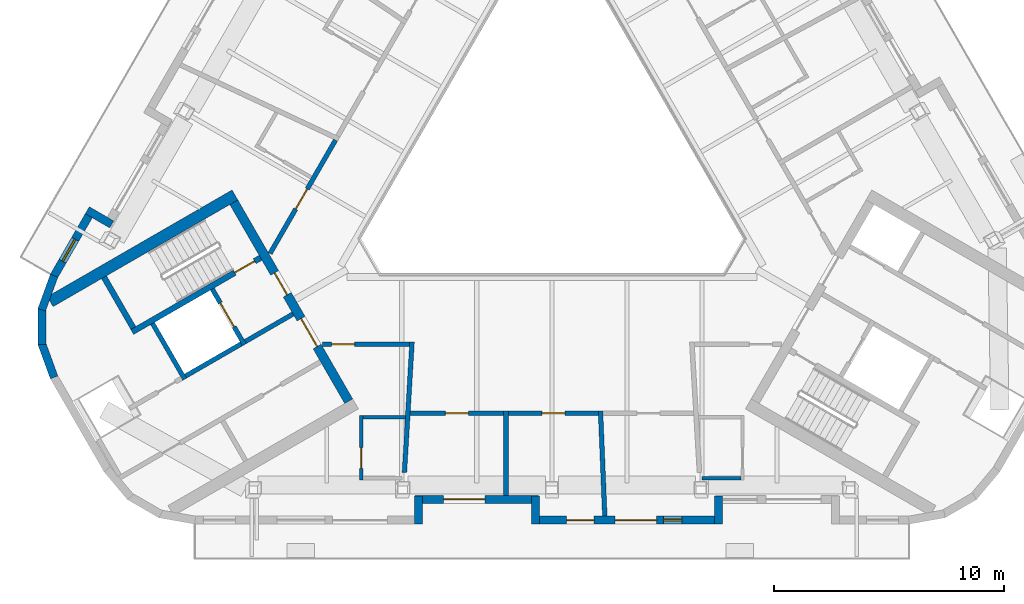
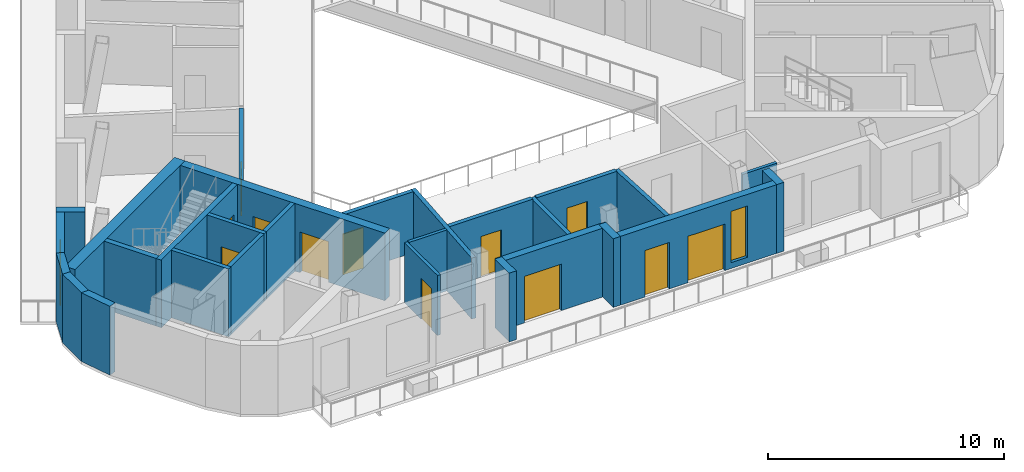
# One storey, part 3 of 11: 28 walls, 12 doors, 2 windows, 14 openings.
"""IFC4 building model written with IfcOpenShell, lengths in metres."""

from ifc_helpers import new_model, si_unit, direction, frame, frame_2d, origin, place, context, subcontext, project, spatial, rectangle, extrude, material, layer, layer_set, type_object, element, fill, save


model = new_model("IFC4")

# Units and contexts
model_context = context("Model", 3, precision=1e-05, world=origin(), true_north=direction((0.0, 1.0)))
body_context = subcontext(model_context, "Body", "Model", "MODEL_VIEW")
ifc_project = project(units=[si_unit("LENGTHUNIT", "METRE"), si_unit("AREAUNIT", "SQUARE_METRE"), si_unit("VOLUMEUNIT", "CUBIC_METRE"), si_unit("PLANEANGLEUNIT", "RADIAN"), si_unit("MASSUNIT", "GRAM", prefix="KILO")], contexts=[model_context])

# Site, building, storey
site_placement = place(None, origin())
site = spatial("IfcSite", under=ifc_project, at=site_placement, CompositionType="ELEMENT")
building_placement = place(site_placement, origin())
building = spatial("IfcBuilding", under=site, at=building_placement, Name="Apuvela Tower Hotel", CompositionType="ELEMENT")
storey_placement = place(building_placement, frame((0.0, 0.0, 320.699951171875)))
storey = spatial("IfcBuildingStorey", under=building, at=storey_placement, Name="L80", CompositionType="ELEMENT", Elevation=320.699951171875)

# Wall, openings, doors
ifc_material_1 = material(Name="Concrete C50/60", Category="concrete")
ifc_layer_1 = layer(ifc_material_1, 0.39990234375)
ifc_layer_set_1 = layer_set([ifc_layer_1], Name="COR-WALL-CORE-400")
wall_type_1 = type_object("IfcWallType", Name="COR-WALL-CORE-400", PredefinedType="SHEAR", material=ifc_layer_set_1)
wall_1_placement = place(storey_placement, frame((-13.844970703125, -2.219970703125, 0.0), z_axis=(0.0, 0.0, 1.0), x_axis=(0.500004234368, -0.866022959057, 0.0)))
wall_1 = element("IfcWall", 1, at=wall_1_placement, inside=storey, type_object=wall_type_1, Name="Core wall SW", PredefinedType="SHEAR", context=body_context, shape_type="SweptSolid", body=[
    extrude(rectangle(XDim=10.0, YDim=0.39990234375, at=frame_2d((5.0, 0.0))), origin(), (0.0, 0.0, 1.0), 3.5),
])
opening_1_placement = place(wall_1_placement, frame((3.550048828125, 0.0, 0.0)))
opening_1 = element("IfcOpeningElement", 2, at=opening_1_placement, cuts=wall_1, Name="Opening W-FD", PredefinedType="OPENING", context=body_context, shape_type="SweptSolid", body=[
    extrude(rectangle(XDim=1.10009765625, YDim=2.10009765625, at=frame_2d((0.550048828125, 1.050048828125))), frame((0.0, 0.2099609375, 0.0), z_axis=(0.0, -1.0, 0.0), x_axis=(1.0, 0.0, 0.0)), (0.0, 0.0, 1.0), 0.419921875),
])
opening_2_placement = place(wall_1_placement, frame((5.85009765625, 0.0, 0.0)))
opening_2 = element("IfcOpeningElement", 3, at=opening_2_placement, cuts=wall_1, Name="Opening W-GD", PredefinedType="OPENING", context=body_context, shape_type="SweptSolid", body=[
    extrude(rectangle(XDim=1.39990234375, YDim=2.10009765625, at=frame_2d((0.699951171875, 1.050048828125))), frame((0.0, 0.2099609375, 0.0), z_axis=(0.0, -1.0, 0.0), x_axis=(1.0, 0.0, 0.0)), (0.0, 0.0, 1.0), 0.419921875),
])
ifc_material_2 = material(Name="Steel fire door, powder coated", Category="steel")
door_type_1 = type_object("IfcDoorType", Name="COR-FD-1100", OperationType="NOTDEFINED", PredefinedType="DOOR", material=ifc_material_2)
door_1_placement = place(opening_1_placement, frame((1.10009765625, 0.0, 0.0), z_axis=(0.0, 0.0, 1.0), x_axis=(-1.0, 0.0, 0.0)))
door_1 = element("IfcDoor", 4, at=door_1_placement, inside=storey, type_object=door_type_1, Name="Firefighting lobby door W-FD", OperationType="SINGLE_SWING_LEFT", OverallHeight=2.10009765625, OverallWidth=1.10009765625, PredefinedType="DOOR", context=body_context, shape_type="SweptSolid", body=[
    extrude(rectangle(XDim=1.10009765625, YDim=2.10009765625, at=frame_2d((0.550048828125, 1.050048828125))), frame((0.0, 0.02490234375, 0.0), z_axis=(0.0, -1.0, 0.0), x_axis=(1.0, 0.0, 0.0)), (0.0, 0.0, 1.0), 0.050048828125),
])
fill(opening_1, door_1)
ifc_material_3 = material(Name="Glazed steel fire door", Category="steel")
door_type_2 = type_object("IfcDoorType", Name="COR-GD-1400", OperationType="DOUBLE_DOOR_SINGLE_SWING", PredefinedType="DOOR", material=ifc_material_3)
door_2_placement = place(opening_2_placement, frame((1.39990234375, 0.0, 0.0), z_axis=(0.0, 0.0, 1.0), x_axis=(-1.0, 0.0, 0.0)))
door_2 = element("IfcDoor", 5, at=door_2_placement, inside=storey, type_object=door_type_2, Name="Lift lobby door W-GD", OperationType="DOUBLE_DOOR_SINGLE_SWING", OverallHeight=2.10009765625, OverallWidth=1.39990234375, PredefinedType="DOOR", context=body_context, shape_type="SweptSolid", body=[
    extrude(rectangle(XDim=1.39990234375, YDim=2.10009765625, at=frame_2d((0.699951171875, 1.050048828125))), frame((0.0, 0.02490234375, 0.0), z_axis=(0.0, -1.0, 0.0), x_axis=(1.0, 0.0, 0.0)), (0.0, 0.0, 1.0), 0.050048828125),
])
fill(opening_2, door_2)

# Walls
ifc_layer_2 = layer(ifc_material_1, 0.5)
ifc_layer_set_2 = layer_set([ifc_layer_2], Name="COR-WALL-CORE-500")
wall_type_2 = type_object("IfcWallType", Name="COR-WALL-CORE-500", PredefinedType="SHEAR", material=ifc_layer_set_2)
wall_2_placement = place(storey_placement, frame((-13.796630859375, -1.9033203125, 0.0), z_axis=(0.0, 0.0, 1.0), x_axis=(-0.866025286072, -0.500000203884, 0.0)))
element("IfcWall", 6, at=wall_2_placement, inside=storey, type_object=wall_type_2, Name="Core wall SW", PredefinedType="SHEAR", context=body_context, shape_type="SweptSolid", body=[
    extrude(rectangle(XDim=9.28271484375, YDim=0.5, at=frame_2d((4.641357421875, 0.0))), origin(), (0.0, 0.0, 1.0), 3.5),
])
ifc_layer_3 = layer(ifc_material_1, 0.199951171875)
ifc_layer_set_3 = layer_set([ifc_layer_3], Name="COR-WALL-SHAFT-200")
wall_type_3 = type_object("IfcWallType", Name="COR-WALL-SHAFT-200", PredefinedType="SHEAR", material=ifc_layer_set_3)
wall_3_placement = place(storey_placement, frame((-17.38134765625, -7.49462890625, 0.0), z_axis=(0.0, 0.0, 1.0), x_axis=(0.500011755427, -0.866018616679, 0.0)))
element("IfcWall", 7, at=wall_3_placement, inside=storey, type_object=wall_type_3, Name="Shaft wall SW", PredefinedType="SHEAR", context=body_context, shape_type="SweptSolid", body=[
    extrude(rectangle(XDim=2.80029296875, YDim=0.199951171875, at=frame_2d((1.400146484375, 0.0))), origin(), (0.0, 0.0, 1.0), 3.5),
])

# Wall, opening, door
wall_4_placement = place(storey_placement, frame((-14.783203125, -5.99462890625, 0.0), z_axis=(0.0, 0.0, 1.0), x_axis=(0.49994636267, -0.866056369097, 0.0)))
wall_4 = element("IfcWall", 8, at=wall_4_placement, inside=storey, type_object=wall_type_3, Name="Shaft wall SW", PredefinedType="SHEAR", context=body_context, shape_type="SweptSolid", body=[
    extrude(rectangle(XDim=2.800048828125, YDim=0.199951171875, at=frame_2d((1.39990234375, 0.0))), origin(), (0.0, 0.0, 1.0), 3.5),
])
opening_3_placement = place(wall_4_placement, frame((0.699951171875, 0.0, 0.0)))
opening_3 = element("IfcOpeningElement", 9, at=opening_3_placement, cuts=wall_4, Name="Opening W-LD-FS2", PredefinedType="OPENING", context=body_context, shape_type="SweptSolid", body=[
    extrude(rectangle(XDim=1.199951171875, YDim=2.10009765625, at=frame_2d((0.60009765625, 1.050048828125))), frame((0.0, 0.10986328125, 0.0), z_axis=(0.0, -1.0, 0.0), x_axis=(1.0, 0.0, 0.0)), (0.0, 0.0, 1.0), 0.219970703125),
])
ifc_material_4 = material(Name="Stainless steel lift landing door", Category="steel")
door_type_3 = type_object("IfcDoorType", Name="COR-LD-1200", OperationType="DOUBLE_DOOR_SLIDING", PredefinedType="DOOR", material=ifc_material_4)
door_3_placement = place(opening_3_placement, origin())
door_3 = element("IfcDoor", 10, at=door_3_placement, inside=storey, type_object=door_type_3, Name="Lift landing door W-LD-FS2", OperationType="DOUBLE_DOOR_SLIDING", OverallHeight=2.10009765625, OverallWidth=1.199951171875, PredefinedType="DOOR", context=body_context, shape_type="SweptSolid", body=[
    extrude(rectangle(XDim=1.199951171875, YDim=2.10009765625, at=frame_2d((0.60009765625, 1.050048828125))), frame((0.0, 0.02490234375, 0.0), z_axis=(0.0, -1.0, 0.0), x_axis=(1.0, 0.0, 0.0)), (0.0, 0.0, 1.0), 0.050048828125),
])
fill(opening_3, door_3)

# Walls
wall_5_placement = place(storey_placement, frame((-13.519775390625, -8.383056640625, 0.0), z_axis=(0.0, 0.0, 1.0), x_axis=(-0.866034573852, -0.49998411664, 0.0)))
element("IfcWall", 11, at=wall_5_placement, inside=storey, type_object=wall_type_3, Name="Shaft wall SW", PredefinedType="SHEAR", context=body_context, shape_type="SweptSolid", body=[
    extrude(rectangle(XDim=2.7998046875, YDim=0.199951171875, at=frame_2d((1.39990234375, 0.0))), origin(), (0.0, 0.0, 1.0), 3.5),
])
wall_6_placement = place(storey_placement, frame((-11.26806640625, -7.0830078125, 0.0), z_axis=(0.0, 0.0, 1.0), x_axis=(-0.866050077142, -0.499957262057, 0.0)))
element("IfcWall", 12, at=wall_6_placement, inside=storey, type_object=wall_type_3, Name="Shaft wall SW", PredefinedType="SHEAR", context=body_context, shape_type="SweptSolid", body=[
    extrude(rectangle(XDim=2.400146484375, YDim=0.199951171875, at=frame_2d((1.2001953125, 0.0))), origin(), (0.0, 0.0, 1.0), 3.5),
])

# Wall, opening, door
ifc_layer_4 = layer(ifc_material_1, 0.25)
ifc_layer_set_4 = layer_set([ifc_layer_4], Name="COR-WALL-STAIR-250")
wall_type_4 = type_object("IfcWallType", Name="COR-WALL-STAIR-250", PredefinedType="SHEAR", material=ifc_layer_set_4)
wall_7_placement = place(storey_placement, frame((-12.6806640625, -4.636474609375, 0.0), z_axis=(0.0, 0.0, 1.0), x_axis=(-0.866021702275, -0.500006411147, 0.0)))
wall_7 = element("IfcWall", 13, at=wall_7_placement, inside=storey, type_object=wall_type_4, Name="Stair wall SW", PredefinedType="SHEAR", context=body_context, shape_type="SweptSolid", body=[
    extrude(rectangle(XDim=6.4501953125, YDim=0.25, at=frame_2d((3.22509765625, 0.0))), origin(), (0.0, 0.0, 1.0), 3.5),
])
opening_4_placement = place(wall_7_placement, frame((0.300048828125, 0.0, 0.0)))
opening_4 = element("IfcOpeningElement", 14, at=opening_4_placement, cuts=wall_7, Name="Opening W-SD", PredefinedType="OPENING", context=body_context, shape_type="SweptSolid", body=[
    extrude(rectangle(XDim=1.0, YDim=2.10009765625, at=frame_2d((0.5, 1.050048828125))), frame((0.0, 0.135009765625, 0.0), z_axis=(0.0, -1.0, 0.0), x_axis=(1.0, 0.0, 0.0)), (0.0, 0.0, 1.0), 0.27001953125),
])
door_type_4 = type_object("IfcDoorType", Name="COR-SD-1000", OperationType="NOTDEFINED", PredefinedType="DOOR", material=ifc_material_2)
door_4_placement = place(opening_4_placement, frame((1.0, 0.0, 0.0), z_axis=(0.0, 0.0, 1.0), x_axis=(-1.0, 0.0, 0.0)))
door_4 = element("IfcDoor", 15, at=door_4_placement, inside=storey, type_object=door_type_4, Name="Stair door W-SD", OperationType="SINGLE_SWING_LEFT", OverallHeight=2.10009765625, OverallWidth=1.0, PredefinedType="DOOR", context=body_context, shape_type="SweptSolid", body=[
    extrude(rectangle(XDim=1.0, YDim=2.10009765625, at=frame_2d((0.5, 1.050048828125))), frame((0.0, 0.02490234375, 0.0), z_axis=(0.0, -1.0, 0.0), x_axis=(1.0, 0.0, 0.0)), (0.0, 0.0, 1.0), 0.050048828125),
])
fill(opening_4, door_4)

# Walls
wall_8_placement = place(storey_placement, frame((-19.49560546875, -5.482421875, 0.0), z_axis=(0.0, 0.0, 1.0), x_axis=(0.499990435942, -0.866030925526, 0.0)))
element("IfcWall", 16, at=wall_8_placement, inside=storey, type_object=wall_type_4, Name="Stair wall SW", PredefinedType="SHEAR", context=body_context, shape_type="SweptSolid", body=[
    extrude(rectangle(XDim=2.5498046875, YDim=0.25, at=frame_2d((1.27490234375, 0.0))), origin(), (0.0, 0.0, 1.0), 3.5),
])
ifc_material_5 = material(Name="Concrete C40/50, dark pigmented precast panel", Category="concrete")
ifc_layer_5 = layer(ifc_material_5, 0.35009765625)
ifc_layer_set_5 = layer_set([ifc_layer_5], Name="ENV-WALL-350")
wall_type_5 = type_object("IfcWallType", Name="ENV-WALL-350", PredefinedType="SOLIDWALL", material=ifc_layer_set_5)
wall_9_placement = place(storey_placement, frame((-19.1650390625, -3.179931640625, 0.0), z_axis=(0.0, 0.0, 1.0), x_axis=(-0.866005645448, 0.500034220881, 0.0)))
element("IfcWall", 17, at=wall_9_placement, inside=storey, type_object=wall_type_5, Name="External wall L80-08", PredefinedType="SOLIDWALL", context=body_context, shape_type="SweptSolid", body=[
    extrude(rectangle(XDim=1.22021484375, YDim=0.35009765625, at=frame_2d((0.610107421875, 0.0))), origin(), (0.0, 0.0, 1.0), 3.550048828125),
])

# Wall, opening, window
wall_10_placement = place(storey_placement, frame((-19.982421875, -2.505859375, 0.0), z_axis=(0.0, 0.0, 1.0), x_axis=(-0.500054617923, -0.865993867816, 0.0)))
wall_10 = element("IfcWall", 18, at=wall_10_placement, inside=storey, type_object=wall_type_5, Name="External wall L80-09", PredefinedType="SOLIDWALL", context=body_context, shape_type="SweptSolid", body=[
    extrude(rectangle(XDim=3.39306640625, YDim=0.35009765625, at=frame_2d((1.696533203125, 0.0))), origin(), (0.0, 0.0, 1.0), 3.550048828125),
])
opening_5_placement = place(wall_10_placement, frame((1.530029296875, 0.0, 0.300048828125)))
opening_5 = element("IfcOpeningElement", 19, at=opening_5_placement, cuts=wall_10, Name="Opening WN11", PredefinedType="OPENING", context=body_context, shape_type="SweptSolid", body=[
    extrude(rectangle(XDim=1.10009765625, YDim=2.64990234375, at=frame_2d((0.550048828125, 1.324951171875))), frame((0.0, 0.18505859375, 0.0), z_axis=(0.0, -1.0, 0.0), x_axis=(1.0, 0.0, 0.0)), (0.0, 0.0, 1.0), 0.3701171875),
])
ifc_material_6 = material(Name="Glass, dark tinted laminated insulated glazing unit", Category="glass")
window_type_1 = type_object("IfcWindowType", Name="ENV-WIN-1100x2650", PartitioningType="SINGLE_PANEL", PredefinedType="WINDOW", material=ifc_material_6)
window_1_placement = place(opening_5_placement, origin())
window_1 = element("IfcWindow", 20, at=window_1_placement, inside=storey, type_object=window_type_1, Name="Window WN11", OverallHeight=2.64990234375, OverallWidth=1.10009765625, PartitioningType="SINGLE_PANEL", PredefinedType="WINDOW", context=body_context, shape_type="SweptSolid", body=[
    extrude(rectangle(XDim=1.10009765625, YDim=2.64990234375, at=frame_2d((0.550048828125, 1.324951171875))), frame((0.0, 0.030029296875, 0.0), z_axis=(0.0, -1.0, 0.0), x_axis=(1.0, 0.0, 0.0)), (0.0, 0.0, 1.0), 0.06005859375),
])
fill(opening_5, window_1)

# Walls
for number, where, z_axis, x_axis, name in (
    (21, (-21.666259765625, -5.41650390625, 0.0), (0.0, 0.0, 1.0), (-0.341991325642, -0.939703109065, 0.0), "External wall L80-10"),
    (22, (-22.19580078125, -6.840576171875, 0.0), (0.0, 0.0, 1.0), (0.0, -1.0, 0.0), "External wall L80-11"),
    (23, (-22.206298828125, -8.35986328125, 0.0), (0.0, 0.0, 1.0), (0.341991325642, -0.939703109065, 0.0), "External wall L80-12"),
):
    element("IfcWall", number, at=place(storey_placement, frame(where, z_axis=z_axis, x_axis=x_axis)), inside=storey, type_object=wall_type_5, Name=name, PredefinedType="SOLIDWALL", context=body_context, shape_type="SweptSolid", body=[
        extrude(rectangle(XDim=1.5791015625, YDim=0.35009765625, at=frame_2d((0.78955078125, 0.0))), origin(), (0.0, 0.0, 1.0), 3.550048828125),
    ])
wall_11_placement = place(storey_placement, frame((-5.8056640625, -16.2275390625, 0.0), z_axis=(0.0, 0.0, 1.0), x_axis=(0.0, 1.0, 0.0)))
element("IfcWall", 24, at=wall_11_placement, inside=storey, type_object=wall_type_5, Name="External wall L80-18", PredefinedType="SOLIDWALL", context=body_context, shape_type="SweptSolid", body=[
    extrude(rectangle(XDim=1.219970703125, YDim=0.35009765625, at=frame_2d((0.60986328125, 0.0))), origin(), (0.0, 0.0, 1.0), 3.550048828125),
])

# Wall, opening, door
wall_12_placement = place(storey_placement, frame((-5.95068359375, -15.152587890625, 0.0), z_axis=(0.0, 0.0, 1.0), x_axis=(1.0, 0.0, 0.0)))
wall_12 = element("IfcWall", 25, at=wall_12_placement, inside=storey, type_object=wall_type_5, Name="External wall L80-19", PredefinedType="SOLIDWALL", context=body_context, shape_type="SweptSolid", body=[
    extrude(rectangle(XDim=5.37060546875, YDim=0.35009765625, at=frame_2d((2.685302734375, 0.0))), origin(), (0.0, 0.0, 1.0), 3.550048828125),
])
opening_6_placement = place(wall_12_placement, frame((1.235595703125, 0.0, 0.0)))
opening_6 = element("IfcOpeningElement", 26, at=opening_6_placement, cuts=wall_12, Name="Opening BD18", PredefinedType="OPENING", context=body_context, shape_type="SweptSolid", body=[
    extrude(rectangle(XDim=1.800048828125, YDim=2.39990234375, at=frame_2d((0.89990234375, 1.199951171875))), frame((0.0, 0.18505859375, 0.0), z_axis=(0.0, -1.0, 0.0), x_axis=(1.0, 0.0, 0.0)), (0.0, 0.0, 1.0), 0.3701171875),
])
ifc_material_7 = material(Name="Aluminium 6063-T6, dark bronze anodised frame with dark tinted laminated glass", Category="aluminium")
door_type_5 = type_object("IfcDoorType", Name="ENV-DOOR-BALCONY-1800x2400", OperationType="SLIDING_TO_LEFT", PredefinedType="DOOR", material=ifc_material_7)
door_5_placement = place(opening_6_placement, frame((1.800048828125, 0.0, 0.0), z_axis=(0.0, 0.0, 1.0), x_axis=(-1.0, 0.0, 0.0)))
door_5 = element("IfcDoor", 27, at=door_5_placement, inside=storey, type_object=door_type_5, Name="Balcony door BD18", OperationType="SLIDING_TO_LEFT", OverallHeight=2.39990234375, OverallWidth=1.800048828125, PredefinedType="DOOR", context=body_context, shape_type="SweptSolid", body=[
    extrude(rectangle(XDim=1.800048828125, YDim=2.39990234375, at=frame_2d((0.89990234375, 1.199951171875))), frame((0.0, 0.02490234375, 0.0), z_axis=(0.0, -1.0, 0.0), x_axis=(1.0, 0.0, 0.0)), (0.0, 0.0, 1.0), 0.050048828125),
])
fill(opening_6, door_5)

# Wall
wall_13_placement = place(storey_placement, frame((-0.72509765625, -15.007568359375, 0.0), z_axis=(0.0, 0.0, 1.0), x_axis=(0.0, -1.0, 0.0)))
element("IfcWall", 28, at=wall_13_placement, inside=storey, type_object=wall_type_5, Name="External wall L80-20", PredefinedType="SOLIDWALL", context=body_context, shape_type="SweptSolid", body=[
    extrude(rectangle(XDim=1.219970703125, YDim=0.35009765625, at=frame_2d((0.60986328125, 0.0))), origin(), (0.0, 0.0, 1.0), 3.550048828125),
])

# Wall, openings, doors, window
wall_14_placement = place(storey_placement, frame((-0.89990234375, -16.052490234375, 0.0), z_axis=(0.0, 0.0, 1.0), x_axis=(1.0, 0.0, 0.0)))
wall_14 = element("IfcWall", 29, at=wall_14_placement, inside=storey, type_object=wall_type_5, Name="External wall L80-21", PredefinedType="SOLIDWALL", context=body_context, shape_type="SweptSolid", body=[
    extrude(rectangle(XDim=8.33056640625, YDim=0.35009765625, at=frame_2d((4.165283203125, 0.0))), origin(), (0.0, 0.0, 1.0), 3.550048828125),
])
opening_7_placement = place(wall_14_placement, frame((1.539306640625, 0.0, 0.0)))
opening_7 = element("IfcOpeningElement", 30, at=opening_7_placement, cuts=wall_14, Name="Opening BD12", PredefinedType="OPENING", context=body_context, shape_type="SweptSolid", body=[
    extrude(rectangle(XDim=1.199951171875, YDim=2.39990234375, at=frame_2d((0.60009765625, 1.199951171875))), frame((0.0, 0.18505859375, 0.0), z_axis=(0.0, -1.0, 0.0), x_axis=(1.0, 0.0, 0.0)), (0.0, 0.0, 1.0), 0.3701171875),
])
opening_8_placement = place(wall_14_placement, frame((3.650390625, 0.0, 0.0)))
opening_8 = element("IfcOpeningElement", 31, at=opening_8_placement, cuts=wall_14, Name="Opening BD18", PredefinedType="OPENING", context=body_context, shape_type="SweptSolid", body=[
    extrude(rectangle(XDim=1.800048828125, YDim=2.39990234375, at=frame_2d((0.89990234375, 1.199951171875))), frame((0.0, 0.18505859375, 0.0), z_axis=(0.0, -1.0, 0.0), x_axis=(1.0, 0.0, 0.0)), (0.0, 0.0, 1.0), 0.3701171875),
])
opening_9_placement = place(wall_14_placement, frame((5.75048828125, 0.0, 0.300048828125)))
opening_9 = element("IfcOpeningElement", 32, at=opening_9_placement, cuts=wall_14, Name="Opening WN08", PredefinedType="OPENING", context=body_context, shape_type="SweptSolid", body=[
    extrude(rectangle(XDim=0.800048828125, YDim=2.64990234375, at=frame_2d((0.39990234375, 1.324951171875))), frame((0.0, 0.18505859375, 0.0), z_axis=(0.0, -1.0, 0.0), x_axis=(1.0, 0.0, 0.0)), (0.0, 0.0, 1.0), 0.3701171875),
])
door_type_6 = type_object("IfcDoorType", Name="ENV-DOOR-BALCONY-1200x2400", OperationType="SLIDING_TO_LEFT", PredefinedType="DOOR", material=ifc_material_7)
door_6_placement = place(opening_7_placement, frame((1.199951171875, 0.0, 0.0), z_axis=(0.0, 0.0, 1.0), x_axis=(-1.0, 0.0, 0.0)))
door_6 = element("IfcDoor", 33, at=door_6_placement, inside=storey, type_object=door_type_6, Name="Balcony door BD12", OperationType="SLIDING_TO_LEFT", OverallHeight=2.39990234375, OverallWidth=1.199951171875, PredefinedType="DOOR", context=body_context, shape_type="SweptSolid", body=[
    extrude(rectangle(XDim=1.199951171875, YDim=2.39990234375, at=frame_2d((0.60009765625, 1.199951171875))), frame((0.0, 0.02490234375, 0.0), z_axis=(0.0, -1.0, 0.0), x_axis=(1.0, 0.0, 0.0)), (0.0, 0.0, 1.0), 0.050048828125),
])
fill(opening_7, door_6)
door_7_placement = place(opening_8_placement, frame((1.800048828125, 0.0, 0.0), z_axis=(0.0, 0.0, 1.0), x_axis=(-1.0, 0.0, 0.0)))
door_7 = element("IfcDoor", 34, at=door_7_placement, inside=storey, type_object=door_type_5, Name="Balcony door BD18", OperationType="SLIDING_TO_LEFT", OverallHeight=2.39990234375, OverallWidth=1.800048828125, PredefinedType="DOOR", context=body_context, shape_type="SweptSolid", body=[
    extrude(rectangle(XDim=1.800048828125, YDim=2.39990234375, at=frame_2d((0.89990234375, 1.199951171875))), frame((0.0, 0.02490234375, 0.0), z_axis=(0.0, -1.0, 0.0), x_axis=(1.0, 0.0, 0.0)), (0.0, 0.0, 1.0), 0.050048828125),
])
fill(opening_8, door_7)
window_type_2 = type_object("IfcWindowType", Name="ENV-WIN-800x2650", PartitioningType="SINGLE_PANEL", PredefinedType="WINDOW", material=ifc_material_6)
window_2_placement = place(opening_9_placement, origin())
window_2 = element("IfcWindow", 35, at=window_2_placement, inside=storey, type_object=window_type_2, Name="Window WN08", OverallHeight=2.64990234375, OverallWidth=0.800048828125, PartitioningType="SINGLE_PANEL", PredefinedType="WINDOW", context=body_context, shape_type="SweptSolid", body=[
    extrude(rectangle(XDim=0.800048828125, YDim=2.64990234375, at=frame_2d((0.39990234375, 1.324951171875))), frame((0.0, 0.030029296875, 0.0), z_axis=(0.0, -1.0, 0.0), x_axis=(1.0, 0.0, 0.0)), (0.0, 0.0, 1.0), 0.06005859375),
])
fill(opening_9, window_2)

# Walls
wall_15_placement = place(storey_placement, frame((7.255615234375, -16.2275390625, 0.0), z_axis=(0.0, 0.0, 1.0), x_axis=(0.0, 1.0, 0.0)))
element("IfcWall", 36, at=wall_15_placement, inside=storey, type_object=wall_type_5, Name="External wall L80-22", PredefinedType="SOLIDWALL", context=body_context, shape_type="SweptSolid", body=[
    extrude(rectangle(XDim=1.219970703125, YDim=0.35009765625, at=frame_2d((0.60986328125, 0.0))), origin(), (0.0, 0.0, 1.0), 3.550048828125),
])
ifc_material_8 = material(Name="Gypsum board partition on twin steel stud", Category="steel")
ifc_layer_6 = layer(ifc_material_8, 0.199951171875)
ifc_layer_set_6 = layer_set([ifc_layer_6], Name="GST-PW1")
wall_type_6 = type_object("IfcWallType", Name="GST-PW1", PredefinedType="PARTITIONING", material=ifc_layer_set_6)
wall_16_placement = place(storey_placement, frame((-6.419921875, -13.981689453125, 0.0), z_axis=(0.0, 0.0, 1.0), x_axis=(0.058254288977, 0.998301776927, 0.0)))
element("IfcWall", 37, at=wall_16_placement, inside=storey, type_object=wall_type_6, Name="L80 partition 01", PredefinedType="PARTITIONING", context=body_context, shape_type="SweptSolid", body=[
    extrude(rectangle(XDim=5.69140625, YDim=0.199951171875, at=frame_2d((2.845703125, 0.0))), origin(), (0.0, 0.0, 1.0), 3.150146484375),
])
wall_17_placement = place(storey_placement, frame((-2.0, -14.9775390625, 0.0), z_axis=(0.0, 0.0, 1.0), x_axis=(0.0, 1.0, 0.0)))
element("IfcWall", 38, at=wall_17_placement, inside=storey, type_object=wall_type_6, Name="L80 partition 02", PredefinedType="PARTITIONING", context=body_context, shape_type="SweptSolid", body=[
    extrude(rectangle(XDim=3.677490234375, YDim=0.199951171875, at=frame_2d((1.8388671875, 0.0))), origin(), (0.0, 0.0, 1.0), 3.10009765625),
])
wall_18_placement = place(storey_placement, frame((2.300048828125, -15.87744140625, 0.0), z_axis=(0.0, 0.0, 1.0), x_axis=(-0.040608643031, 0.999175128849, 0.0)))
element("IfcWall", 39, at=wall_18_placement, inside=storey, type_object=wall_type_6, Name="L80 partition 03", PredefinedType="PARTITIONING", context=body_context, shape_type="SweptSolid", body=[
    extrude(rectangle(XDim=4.5810546875, YDim=0.199951171875, at=frame_2d((2.29052734375, 0.0))), origin(), (0.0, 0.0, 1.0), 3.10009765625),
])

# Wall, opening, door
ifc_material_9 = material(Name="Gypsum board corridor wall on twin steel stud, acoustic", Category="steel")
ifc_layer_7 = layer(ifc_material_9, 0.199951171875)
ifc_layer_set_7 = layer_set([ifc_layer_7], Name="GST-PW2")
wall_type_7 = type_object("IfcWallType", Name="GST-PW2", PredefinedType="PARTITIONING", material=ifc_layer_set_7)
wall_19_placement = place(storey_placement, frame((-6.1943359375, -8.39990234375, 0.0), z_axis=(0.0, 0.0, 1.0), x_axis=(-1.0, 0.0, 0.0)))
wall_19 = element("IfcWall", 40, at=wall_19_placement, inside=storey, type_object=wall_type_7, Name="L80 partition 11", PredefinedType="PARTITIONING", context=body_context, shape_type="SweptSolid", body=[
    extrude(rectangle(XDim=3.7939453125, YDim=0.199951171875, at=frame_2d((1.89697265625, 0.0))), origin(), (0.0, 0.0, 1.0), 3.150146484375),
])
opening_10_placement = place(wall_19_placement, frame((2.393798828125, 0.0, 0.0)))
opening_10 = element("IfcOpeningElement", 41, at=opening_10_placement, cuts=wall_19, Name="Opening GD34-02", PredefinedType="OPENING", context=body_context, shape_type="SweptSolid", body=[
    extrude(rectangle(XDim=1.0, YDim=2.10009765625, at=frame_2d((0.5, 1.050048828125))), frame((0.0, 0.10986328125, 0.0), z_axis=(0.0, -1.0, 0.0), x_axis=(1.0, 0.0, 0.0)), (0.0, 0.0, 1.0), 0.219970703125),
])
ifc_material_10 = material(Name="Timber door leaf in steel frame", Category="steel")
door_type_7 = type_object("IfcDoorType", Name="GST-D1", OperationType="NOTDEFINED", PredefinedType="DOOR", material=ifc_material_10)
door_8_placement = place(opening_10_placement, origin())
door_8 = element("IfcDoor", 42, at=door_8_placement, inside=storey, type_object=door_type_7, Name="Door L80-02", OperationType="SINGLE_SWING_RIGHT", OverallHeight=2.10009765625, OverallWidth=1.0, PredefinedType="DOOR", context=body_context, shape_type="SweptSolid", body=[
    extrude(rectangle(XDim=1.0, YDim=2.10009765625, at=frame_2d((0.5, 1.050048828125))), frame((0.0, 0.02490234375, 0.0), z_axis=(0.0, -1.0, 0.0), x_axis=(1.0, 0.0, 0.0)), (0.0, 0.0, 1.0), 0.050048828125),
])
fill(opening_10, door_8)

wall_20_placement = place(storey_placement, frame((-2.10009765625, -11.39990234375, 0.0), z_axis=(0.0, 0.0, 1.0), x_axis=(-1.0, 0.0, 0.0)))
wall_20 = element("IfcWall", 43, at=wall_20_placement, inside=storey, type_object=wall_type_7, Name="L80 partition 15", PredefinedType="PARTITIONING", context=body_context, shape_type="SweptSolid", body=[
    extrude(rectangle(XDim=4.069091796875, YDim=0.199951171875, at=frame_2d((2.03466796875, 0.0))), origin(), (0.0, 0.0, 1.0), 3.150146484375),
])
opening_11_placement = place(wall_20_placement, frame((1.53466796875, 0.0, 0.0)))
opening_11 = element("IfcOpeningElement", 44, at=opening_11_placement, cuts=wall_20, Name="Opening GD34-03", PredefinedType="OPENING", context=body_context, shape_type="SweptSolid", body=[
    extrude(rectangle(XDim=1.0, YDim=2.10009765625, at=frame_2d((0.5, 1.050048828125))), frame((0.0, 0.10986328125, 0.0), z_axis=(0.0, -1.0, 0.0), x_axis=(1.0, 0.0, 0.0)), (0.0, 0.0, 1.0), 0.219970703125),
])
door_9_placement = place(opening_11_placement, origin())
door_9 = element("IfcDoor", 45, at=door_9_placement, inside=storey, type_object=door_type_7, Name="Door L80-03", OperationType="SINGLE_SWING_LEFT", OverallHeight=2.10009765625, OverallWidth=1.0, PredefinedType="DOOR", context=body_context, shape_type="SweptSolid", body=[
    extrude(rectangle(XDim=1.0, YDim=2.10009765625, at=frame_2d((0.5, 1.050048828125))), frame((0.0, 0.02490234375, 0.0), z_axis=(0.0, -1.0, 0.0), x_axis=(1.0, 0.0, 0.0)), (0.0, 0.0, 1.0), 0.050048828125),
])
fill(opening_11, door_9)

wall_21_placement = place(storey_placement, frame((2.017822265625, -11.39990234375, 0.0), z_axis=(0.0, 0.0, 1.0), x_axis=(-1.0, 0.0, 0.0)))
wall_21 = element("IfcWall", 46, at=wall_21_placement, inside=storey, type_object=wall_type_7, Name="L80 partition 16", PredefinedType="PARTITIONING", context=body_context, shape_type="SweptSolid", body=[
    extrude(rectangle(XDim=3.917724609375, YDim=0.199951171875, at=frame_2d((1.958984375, 0.0))), origin(), (0.0, 0.0, 1.0), 3.150146484375),
])
opening_12_placement = place(wall_21_placement, frame((1.458984375, 0.0, 0.0)))
opening_12 = element("IfcOpeningElement", 47, at=opening_12_placement, cuts=wall_21, Name="Opening GD34-04", PredefinedType="OPENING", context=body_context, shape_type="SweptSolid", body=[
    extrude(rectangle(XDim=1.0, YDim=2.10009765625, at=frame_2d((0.5, 1.050048828125))), frame((0.0, 0.10986328125, 0.0), z_axis=(0.0, -1.0, 0.0), x_axis=(1.0, 0.0, 0.0)), (0.0, 0.0, 1.0), 0.219970703125),
])
door_10_placement = place(opening_12_placement, origin())
door_10 = element("IfcDoor", 48, at=door_10_placement, inside=storey, type_object=door_type_7, Name="Door L80-04", OperationType="SINGLE_SWING_LEFT", OverallHeight=2.10009765625, OverallWidth=1.0, PredefinedType="DOOR", context=body_context, shape_type="SweptSolid", body=[
    extrude(rectangle(XDim=1.0, YDim=2.10009765625, at=frame_2d((0.5, 1.050048828125))), frame((0.0, 0.02490234375, 0.0), z_axis=(0.0, -1.0, 0.0), x_axis=(1.0, 0.0, 0.0)), (0.0, 0.0, 1.0), 0.050048828125),
])
fill(opening_12, door_10)

wall_22_placement = place(storey_placement, frame((-12.268798828125, -4.449951171875, 0.0), z_axis=(0.0, 0.0, 1.0), x_axis=(0.500034087201, 0.866005722635, 0.0)))
wall_22 = element("IfcWall", 49, at=wall_22_placement, inside=storey, type_object=wall_type_7, Name="L80 partition 43", PredefinedType="PARTITIONING", context=body_context, shape_type="SweptSolid", body=[
    extrude(rectangle(XDim=5.6962890625, YDim=0.199951171875, at=frame_2d((2.84814453125, 0.0))), origin(), (0.0, 0.0, 1.0), 3.150146484375),
])
opening_13_placement = place(wall_22_placement, frame((2.23779296875, 0.0, 0.0)))
opening_13 = element("IfcOpeningElement", 50, at=opening_13_placement, cuts=wall_22, Name="Opening GD34-23", PredefinedType="OPENING", context=body_context, shape_type="SweptSolid", body=[
    extrude(rectangle(XDim=1.0, YDim=2.10009765625, at=frame_2d((0.5, 1.050048828125))), frame((0.0, 0.10986328125, 0.0), z_axis=(0.0, -1.0, 0.0), x_axis=(1.0, 0.0, 0.0)), (0.0, 0.0, 1.0), 0.219970703125),
])
door_11_placement = place(opening_13_placement, origin())
door_11 = element("IfcDoor", 51, at=door_11_placement, inside=storey, type_object=door_type_7, Name="Door L80-23", OperationType="SINGLE_SWING_LEFT", OverallHeight=2.10009765625, OverallWidth=1.0, PredefinedType="DOOR", context=body_context, shape_type="SweptSolid", body=[
    extrude(rectangle(XDim=1.0, YDim=2.10009765625, at=frame_2d((0.5, 1.050048828125))), frame((0.0, 0.02490234375, 0.0), z_axis=(0.0, -1.0, 0.0), x_axis=(1.0, 0.0, 0.0)), (0.0, 0.0, 1.0), 0.050048828125),
])
fill(opening_13, door_11)

ifc_material_11 = material(Name="Moisture-resistant gypsum board wet wall on steel stud", Category="steel")
ifc_layer_8 = layer(ifc_material_11, 0.14990234375)
ifc_layer_set_8 = layer_set([ifc_layer_8], Name="GST-PW3")
wall_type_8 = type_object("IfcWallType", Name="GST-PW3", PredefinedType="PARTITIONING", material=ifc_layer_set_8)
wall_23_placement = place(storey_placement, frame((-8.294189453125, -11.5, 0.0), z_axis=(0.0, 0.0, 1.0), x_axis=(0.0, -1.0, 0.0)))
wall_23 = element("IfcWall", 52, at=wall_23_placement, inside=storey, type_object=wall_type_8, Name="L80 partition 12", PredefinedType="PARTITIONING", context=body_context, shape_type="SweptSolid", body=[
    extrude(rectangle(XDim=2.800048828125, YDim=0.14990234375, at=frame_2d((1.39990234375, 0.0))), origin(), (0.0, 0.0, 1.0), 3.10009765625),
])
opening_14_placement = place(wall_23_placement, frame((1.39990234375, 0.0, 0.0)))
opening_14 = element("IfcOpeningElement", 53, at=opening_14_placement, cuts=wall_23, Name="Opening GD34-01", PredefinedType="OPENING", context=body_context, shape_type="SweptSolid", body=[
    extrude(rectangle(XDim=0.89990234375, YDim=2.10009765625, at=frame_2d((0.449951171875, 1.050048828125))), frame((0.0, 0.0849609375, 0.0), z_axis=(0.0, -1.0, 0.0), x_axis=(1.0, 0.0, 0.0)), (0.0, 0.0, 1.0), 0.169921875),
])
door_type_8 = type_object("IfcDoorType", Name="GST-D2", OperationType="NOTDEFINED", PredefinedType="DOOR", material=ifc_material_10)
door_12_placement = place(opening_14_placement, origin())
door_12 = element("IfcDoor", 54, at=door_12_placement, inside=storey, type_object=door_type_8, Name="Door L80-01", OperationType="SINGLE_SWING_RIGHT", OverallHeight=2.10009765625, OverallWidth=0.89990234375, PredefinedType="DOOR", context=body_context, shape_type="SweptSolid", body=[
    extrude(rectangle(XDim=0.89990234375, YDim=2.10009765625, at=frame_2d((0.449951171875, 1.050048828125))), frame((0.0, 0.02490234375, 0.0), z_axis=(0.0, -1.0, 0.0), x_axis=(1.0, 0.0, 0.0)), (0.0, 0.0, 1.0), 0.050048828125),
])
fill(opening_14, door_12)

# Walls
wall_24_placement = place(storey_placement, frame((-8.218994140625, -11.574951171875, 0.0), z_axis=(0.0, 0.0, 1.0), x_axis=(1.0, 0.0, 0.0)))
element("IfcWall", 55, at=wall_24_placement, inside=storey, type_object=wall_type_8, Name="L80 partition 14", PredefinedType="PARTITIONING", context=body_context, shape_type="SweptSolid", body=[
    extrude(rectangle(XDim=1.83935546875, YDim=0.14990234375, at=frame_2d((0.919677734375, 0.0))), origin(), (0.0, 0.0, 1.0), 3.150146484375),
])
wall_25_placement = place(storey_placement, frame((6.534423828125, -14.22509765625, 0.0), z_axis=(0.0, 0.0, 1.0), x_axis=(1.0, 0.0, 0.0)))
element("IfcWall", 56, at=wall_25_placement, inside=storey, type_object=wall_type_8, Name="L80 partition 20", PredefinedType="PARTITIONING", context=body_context, shape_type="SweptSolid", body=[
    extrude(rectangle(XDim=1.6845703125, YDim=0.14990234375, at=frame_2d((0.84228515625, 0.0))), origin(), (0.0, 0.0, 1.0), 3.10009765625),
])

save(model, "model.ifc")
